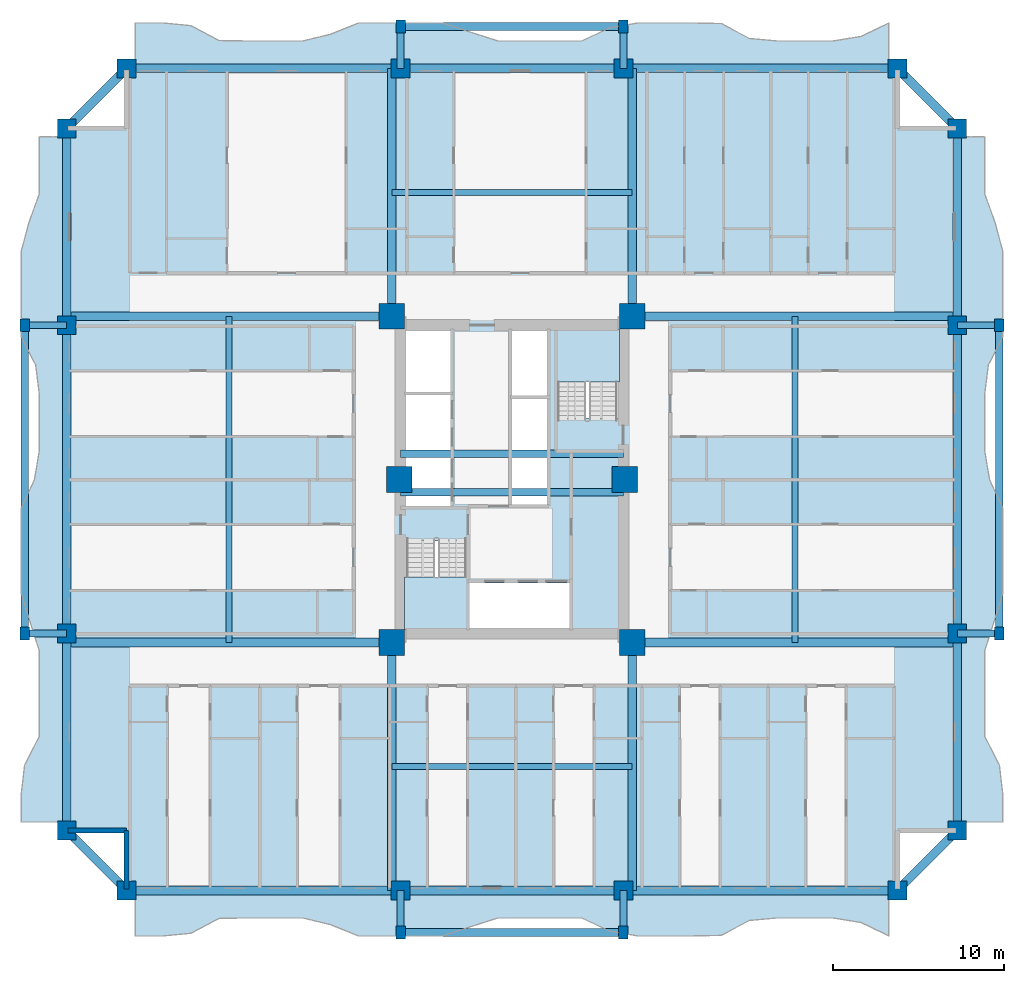
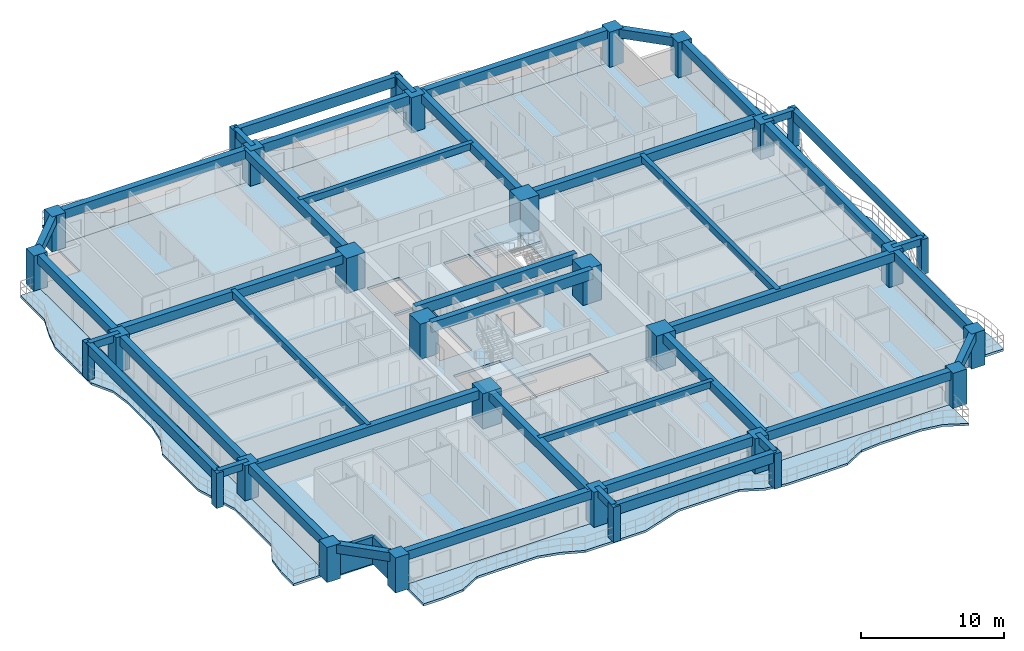
# One storey, part 1 of 17: 42 beams, 30 columns, 7 slabs, 2 walls, 2 elements without a shape of their own.
"""IFC4 building model written with IfcOpenShell, lengths in metres."""

from ifc_helpers import new_model, si_unit, direction, frame, frame_2d, origin, origin_2d, place, context, subcontext, project, spatial, polyline, rectangle, outline, extrude, source, transform, mapped, material, layer, layer_set, material_profile, profile_set, type_object, element, aggregate, save


model = new_model("IFC4")

# Units and contexts
model_context = context("Model", 3, precision=1e-05, world=origin(), true_north=direction((0.0, 1.0)))
body_context = subcontext(model_context, "Body", "Model", "MODEL_VIEW")
ifc_project = project(units=[si_unit("LENGTHUNIT", "METRE"), si_unit("AREAUNIT", "SQUARE_METRE"), si_unit("VOLUMEUNIT", "CUBIC_METRE"), si_unit("PLANEANGLEUNIT", "RADIAN"), si_unit("MASSUNIT", "GRAM", prefix="KILO")], contexts=[model_context])

# Site, building, storey
site_placement = place(None, origin())
site = spatial("IfcSite", under=ifc_project, at=site_placement, CompositionType="ELEMENT")
building_placement = place(site_placement, origin())
building = spatial("IfcBuilding", under=site, at=building_placement, Name="Saelheon Loggia Tower", CompositionType="ELEMENT")
storey_placement = place(building_placement, frame((0.0, 0.0, 22.39990234375)))
storey = spatial("IfcBuildingStorey", under=building, at=storey_placement, Name="L06", CompositionType="ELEMENT", Elevation=22.39990234375)

# Columns
ifc_material_1 = material(Name="Concrete C60/75", Category="concrete")
ifc_material_profile_1 = material_profile(ifc_material_1, rectangle(XDim=1.5, YDim=1.5, at=origin_2d()), Name="RC-1500x1500")
ifc_profile_set_1 = profile_set([ifc_material_profile_1], Name="Concrete C60/75")
column_type_1 = type_object("IfcColumnType", Name="Col_Core_RC1500", PredefinedType="COLUMN", material=ifc_profile_set_1)
shared_shape_1 = source(origin(), body_context, "Body", "SweptSolid", [
    extrude(rectangle(XDim=1.5, YDim=1.5, at=origin_2d()), origin(), (0.0, 0.0, 1.0), 3.0),
])
for number, where, z_axis, x_axis, name in (
    (1, (30.97998046875, 17.47998046875, 0.0), (0.0, 0.0, 1.0), (1.0, 0.0, 0.0), "L06 Core Column CR-SW"),
    (2, (45.02001953125, 17.47998046875, 0.0), (0.0, 0.0, 1.0), (1.0, 0.0, 0.0), "L06 Core Column CR-SE"),
    (3, (30.97998046875, 36.52001953125, 0.0), (0.0, 0.0, 1.0), (1.0, 0.0, 0.0), "L06 Core Column CR-NW"),
    (4, (45.02001953125, 36.52001953125, 0.0), (0.0, 0.0, 1.0), (1.0, 0.0, 0.0), "L06 Core Column CR-NE"),
    (5, (31.419921875, 27.0, 0.0), (0.0, 0.0, 1.0), (1.0, 0.0, 0.0), "L06 Core Column CR-MW"),
    (6, (44.580078125, 27.0, 0.0), (0.0, 0.0, 1.0), (1.0, 0.0, 0.0), "L06 Core Column CR-ME"),
):
    element("IfcColumn", number, at=place(storey_placement, frame(where, z_axis=z_axis, x_axis=x_axis)), inside=storey, type_object=column_type_1, Name=name, PredefinedType="COLUMN", context=body_context, shape_type="MappedRepresentation", body=[
        mapped(shared_shape_1, transform((0.0, 0.0, 0.0), scale=1.0)),
    ])
ifc_material_2 = material(Name="Concrete C50/60", Category="concrete")
ifc_material_profile_2 = material_profile(ifc_material_2, rectangle(XDim=1.10009765625, YDim=1.10009765625, at=origin_2d()), Name="RC-1100x1100")
ifc_profile_set_2 = profile_set([ifc_material_profile_2], Name="Concrete C50/60")
column_type_2 = type_object("IfcColumnType", Name="Col_PerimExt_RC1100", PredefinedType="COLUMN", material=ifc_profile_set_2)
shared_shape_2 = source(origin(), body_context, "Body", "SweptSolid", [
    extrude(rectangle(XDim=1.10009765625, YDim=1.10009765625, at=origin_2d()), origin(), (0.0, 0.0, 1.0), 3.0),
])
for number, where, z_axis, x_axis, name in (
    (7, (15.5, 3.0, 0.0), (0.0, 0.0, 1.0), (1.0, 0.0, 0.0), "L06 Perimeter Column TP-S1"),
    (8, (31.5, 3.0, 0.0), (0.0, 0.0, 1.0), (1.0, 0.0, 0.0), "L06 Perimeter Column TP-SA"),
    (9, (44.5, 3.0, 0.0), (0.0, 0.0, 1.0), (1.0, 0.0, 0.0), "L06 Perimeter Column TP-SB"),
    (10, (60.5, 3.0, 0.0), (0.0, 0.0, 1.0), (1.0, 0.0, 0.0), "L06 Perimeter Column TP-S2"),
    (11, (64.0, 6.5, 0.0), (0.0, 0.0, 1.0), (1.0, 0.0, 0.0), "L06 Perimeter Column TP-E1"),
    (12, (64.0, 18.0, 0.0), (0.0, 0.0, 1.0), (1.0, 0.0, 0.0), "L06 Perimeter Column TP-EA"),
    (13, (64.0, 36.0, 0.0), (0.0, 0.0, 1.0), (1.0, 0.0, 0.0), "L06 Perimeter Column TP-EB"),
    (14, (64.0, 47.5, 0.0), (0.0, 0.0, 1.0), (1.0, 0.0, 0.0), "L06 Perimeter Column TP-E2"),
    (15, (60.5, 51.0, 0.0), (0.0, 0.0, 1.0), (1.0, 0.0, 0.0), "L06 Perimeter Column TP-N2"),
    (16, (44.5, 51.0, 0.0), (0.0, 0.0, 1.0), (1.0, 0.0, 0.0), "L06 Perimeter Column TP-NB"),
    (17, (31.5, 51.0, 0.0), (0.0, 0.0, 1.0), (1.0, 0.0, 0.0), "L06 Perimeter Column TP-NA"),
    (18, (15.5, 51.0, 0.0), (0.0, 0.0, 1.0), (1.0, 0.0, 0.0), "L06 Perimeter Column TP-N1"),
    (19, (12.0, 47.5, 0.0), (0.0, 0.0, 1.0), (1.0, 0.0, 0.0), "L06 Perimeter Column TP-W2"),
    (20, (12.0, 36.0, 0.0), (0.0, 0.0, 1.0), (1.0, 0.0, 0.0), "L06 Perimeter Column TP-WB"),
    (21, (12.0, 18.0, 0.0), (0.0, 0.0, 1.0), (1.0, 0.0, 0.0), "L06 Perimeter Column TP-WA"),
    (22, (12.0, 6.5, 0.0), (0.0, 0.0, 1.0), (1.0, 0.0, 0.0), "L06 Perimeter Column TP-W1"),
):
    element("IfcColumn", number, at=place(storey_placement, frame(where, z_axis=z_axis, x_axis=x_axis)), inside=storey, type_object=column_type_2, Name=name, PredefinedType="COLUMN", context=body_context, shape_type="MappedRepresentation", body=[
        mapped(shared_shape_2, transform((0.0, 0.0, 0.0), scale=1.0)),
    ])
ifc_material_3 = material(Name="Precast Concrete C45/55", Category="concrete")
ifc_material_profile_3 = material_profile(ifc_material_3, rectangle(XDim=0.550048828125, YDim=0.75, at=origin_2d()), Name="RC-550x750")
ifc_profile_set_3 = profile_set([ifc_material_profile_3], Name="Precast Concrete C45/55")
column_type_3 = type_object("IfcColumnType", Name="Col_Loggia_Pilaster_750", PredefinedType="PILASTER", material=ifc_profile_set_3)
shared_shape_3 = source(origin(), body_context, "Body", "SweptSolid", [
    extrude(rectangle(XDim=0.550048828125, YDim=0.75, at=origin_2d()), origin(), (0.0, 0.0, 1.0), 3.0),
])
for number, where, z_axis, x_axis, name in (
    (23, (31.5, 0.550048828125, 0.0), (0.0, 0.0, 1.0), (1.0, 0.0, 0.0), "L06 Loggia Frame Pilaster LP-S1"),
    (24, (44.5, 0.550048828125, 0.0), (0.0, 0.0, 1.0), (1.0, 0.0, 0.0), "L06 Loggia Frame Pilaster LP-S2"),
    (25, (31.5, 53.449951171875, 0.0), (0.0, 0.0, 1.0), (1.0, 0.0, 0.0), "L06 Loggia Frame Pilaster LP-N1"),
    (26, (44.5, 53.449951171875, 0.0), (0.0, 0.0, 1.0), (1.0, 0.0, 0.0), "L06 Loggia Frame Pilaster LP-N2"),
    (27, (66.449951171875, 18.0, 0.0), (0.0, 0.0, 1.0), (1.0, 0.0, 0.0), "L06 Loggia Frame Pilaster LP-E1"),
    (28, (66.449951171875, 36.0, 0.0), (0.0, 0.0, 1.0), (1.0, 0.0, 0.0), "L06 Loggia Frame Pilaster LP-E2"),
    (29, (9.550048828125, 18.0, 0.0), (0.0, 0.0, 1.0), (1.0, 0.0, 0.0), "L06 Loggia Frame Pilaster LP-W1"),
    (30, (9.550048828125, 36.0, 0.0), (0.0, 0.0, 1.0), (1.0, 0.0, 0.0), "L06 Loggia Frame Pilaster LP-W2"),
):
    element("IfcColumn", number, at=place(storey_placement, frame(where, z_axis=z_axis, x_axis=x_axis)), inside=storey, type_object=column_type_3, Name=name, PredefinedType="PILASTER", context=body_context, shape_type="MappedRepresentation", body=[
        mapped(shared_shape_3, transform((0.0, 0.0, 0.0), scale=1.0)),
    ])

# Beams
ifc_material_profile_4 = material_profile(ifc_material_2, rectangle(XDim=0.449951171875, YDim=0.85009765625, at=origin_2d()), Name="RC-450x850")
ifc_profile_set_4 = profile_set([ifc_material_profile_4], Name="Concrete C50/60")
beam_type_1 = type_object("IfcBeamType", Name="Beam_CoreLintel_RC450x850", PredefinedType="LINTEL", material=ifc_profile_set_4)
shared_shape_4 = source(origin(), body_context, "Body", "SweptSolid", [
    extrude(rectangle(XDim=0.449951171875, YDim=0.85009765625, at=origin_2d()), origin(), (0.0, 0.0, 1.0), 13.0),
])
for number, where, z_axis, x_axis, name in (
    (31, (31.5, 26.25, 2.5751953125), (1.0, 0.0, 0.0), (0.0, 1.0, 0.0), "L06 Core Coupling Lintel 1"),
    (32, (31.5, 28.5, 2.5751953125), (1.0, 0.0, 0.0), (0.0, 1.0, 0.0), "L06 Core Coupling Lintel 2"),
):
    element("IfcBeam", number, at=place(storey_placement, frame(where, z_axis=z_axis, x_axis=x_axis)), inside=storey, type_object=beam_type_1, Name=name, PredefinedType="LINTEL", context=body_context, shape_type="MappedRepresentation", body=[
        mapped(shared_shape_4, transform((0.0, 0.0, 0.0), scale=1.0)),
    ])
ifc_material_profile_5 = material_profile(ifc_material_3, rectangle(XDim=0.449951171875, YDim=0.85009765625, at=origin_2d()), Name="RC-450x850")
ifc_profile_set_5 = profile_set([ifc_material_profile_5], Name="Precast Concrete C45/55")
beam_type_2 = type_object("IfcBeamType", Name="Beam_LoggiaSpandrel_RC450x850", PredefinedType="SPANDREL", material=ifc_profile_set_5)
for number, where, z_axis, x_axis, name in (
    (33, (31.5, 0.550048828125, 2.5751953125), (1.0, 0.0, 0.0), (0.0, 1.0, 0.0), "L06 Loggia Spandrel Beam S"),
    (34, (31.5, 53.449951171875, 2.5751953125), (1.0, 0.0, 0.0), (0.0, 1.0, 0.0), "L06 Loggia Spandrel Beam N"),
):
    element("IfcBeam", number, at=place(storey_placement, frame(where, z_axis=z_axis, x_axis=x_axis)), inside=storey, type_object=beam_type_2, Name=name, PredefinedType="SPANDREL", context=body_context, shape_type="MappedRepresentation", body=[
        mapped(shared_shape_4, transform((0.0, 0.0, 0.0), scale=1.0)),
    ])
ifc_material_4 = material(Name="Concrete C45/55", Category="concrete")
ifc_material_profile_6 = material_profile(ifc_material_4, rectangle(XDim=0.5, YDim=0.75, at=origin_2d()), Name="RC-500x750")
ifc_profile_set_6 = profile_set([ifc_material_profile_6], Name="Concrete C45/55")
beam_type_3 = type_object("IfcBeamType", Name="Beam_FloorGirder_RC500x750", PredefinedType="BEAM", material=ifc_profile_set_6)
shared_shape_5 = source(origin(), body_context, "Body", "SweptSolid", [
    extrude(rectangle(XDim=0.5, YDim=0.75, at=origin_2d()), origin(), (0.0, 0.0, 1.0), 14.47998046875),
])
for number, where, z_axis, x_axis, name in (
    (35, (30.97998046875, 17.47998046875, 2.625), (0.0, -1.0, 0.0), (1.0, 0.0, 0.0), "L06 Radial Floor Girder RAD-SW-S"),
    (36, (45.02001953125, 17.47998046875, 2.625), (0.0, -1.0, 0.0), (1.0, 0.0, 0.0), "L06 Radial Floor Girder RAD-SE-S"),
    (37, (30.97998046875, 36.52001953125, 2.625), (0.0, 1.0, 0.0), (-1.0, 0.0, 0.0), "L06 Radial Floor Girder RAD-NW-N"),
    (38, (45.02001953125, 36.52001953125, 2.625), (0.0, 1.0, 0.0), (-1.0, 0.0, 0.0), "L06 Radial Floor Girder RAD-NE-N"),
):
    element("IfcBeam", number, at=place(storey_placement, frame(where, z_axis=z_axis, x_axis=x_axis)), inside=storey, type_object=beam_type_3, Name=name, PredefinedType="BEAM", context=body_context, shape_type="MappedRepresentation", body=[
        mapped(shared_shape_5, transform((0.0, 0.0, 0.0), scale=1.0)),
    ])
ifc_material_profile_7 = material_profile(ifc_material_4, rectangle(XDim=0.5, YDim=0.75, at=origin_2d()), Name="RC-500x750")
ifc_profile_set_7 = profile_set([ifc_material_profile_7], Name="Concrete C45/55")
beam_type_4 = type_object("IfcBeamType", Name="Beam_PerimGirder_RC500x750", PredefinedType="BEAM", material=ifc_profile_set_7)
shared_shape_6 = source(origin(), body_context, "Body", "SweptSolid", [
    extrude(rectangle(XDim=0.5, YDim=0.75, at=origin_2d()), origin(), (0.0, 0.0, 1.0), 16.0),
])
for number, where, z_axis, x_axis, name in (
    (39, (15.5, 3.0, 2.625), (1.0, 0.0, 0.0), (0.0, 1.0, 0.0), "L06 Perimeter Frame Girder 01"),
    (40, (44.5, 3.0, 2.625), (1.0, 0.0, 0.0), (0.0, 1.0, 0.0), "L06 Perimeter Frame Girder 03"),
    (41, (60.5, 51.0, 2.625), (-1.0, 0.0, 0.0), (0.0, -1.0, 0.0), "L06 Perimeter Frame Girder 09"),
    (42, (31.5, 51.0, 2.625), (-1.0, 0.0, 0.0), (0.0, -1.0, 0.0), "L06 Perimeter Frame Girder 11"),
):
    element("IfcBeam", number, at=place(storey_placement, frame(where, z_axis=z_axis, x_axis=x_axis)), inside=storey, type_object=beam_type_4, Name=name, PredefinedType="BEAM", context=body_context, shape_type="MappedRepresentation", body=[
        mapped(shared_shape_6, transform((0.0, 0.0, 0.0), scale=1.0)),
    ])
shared_shape_7 = source(origin(), body_context, "Body", "SweptSolid", [
    extrude(rectangle(XDim=0.5, YDim=0.75, at=origin_2d()), origin(), (0.0, 0.0, 1.0), 13.0),
])
for number, where, z_axis, x_axis, name in (
    (43, (31.5, 3.0, 2.625), (1.0, 0.0, 0.0), (0.0, 1.0, 0.0), "L06 Perimeter Frame Girder 02"),
    (44, (44.5, 51.0, 2.625), (-1.0, 0.0, 0.0), (0.0, -1.0, 0.0), "L06 Perimeter Frame Girder 10"),
):
    element("IfcBeam", number, at=place(storey_placement, frame(where, z_axis=z_axis, x_axis=x_axis)), inside=storey, type_object=beam_type_4, Name=name, PredefinedType="BEAM", context=body_context, shape_type="MappedRepresentation", body=[
        mapped(shared_shape_7, transform((0.0, 0.0, 0.0), scale=1.0)),
    ])
shared_shape_8 = source(origin(), body_context, "Body", "SweptSolid", [
    extrude(rectangle(XDim=0.5, YDim=0.75, at=origin_2d()), origin(), (0.0, 0.0, 1.0), 4.94970703125),
])
for number, where, z_axis, x_axis, name in (
    (45, (60.5, 3.0, 2.625), (0.707106781187, 0.707106781187, 0.0), (-0.707106781187, 0.707106781187, 0.0), "L06 Perimeter Frame Girder 04"),
    (46, (64.0, 47.5, 2.625), (-0.707106781187, 0.707106781187, 0.0), (-0.707106781187, -0.707106781187, 0.0), "L06 Perimeter Frame Girder 08"),
    (47, (15.5, 51.0, 2.625), (-0.707106781187, -0.707106781187, 0.0), (0.707106781187, -0.707106781187, 0.0), "L06 Perimeter Frame Girder 12"),
    (48, (12.0, 6.5, 2.625), (0.707106781187, -0.707106781187, 0.0), (0.707106781187, 0.707106781187, 0.0), "L06 Perimeter Frame Girder 16"),
):
    element("IfcBeam", number, at=place(storey_placement, frame(where, z_axis=z_axis, x_axis=x_axis)), inside=storey, type_object=beam_type_4, Name=name, PredefinedType="BEAM", context=body_context, shape_type="MappedRepresentation", body=[
        mapped(shared_shape_8, transform((0.0, 0.0, 0.0), scale=1.0)),
    ])
shared_shape_9 = source(origin(), body_context, "Body", "SweptSolid", [
    extrude(rectangle(XDim=0.5, YDim=0.75, at=origin_2d()), origin(), (0.0, 0.0, 1.0), 11.5),
])
for number, where, z_axis, x_axis, name in (
    (49, (64.0, 6.5, 2.625), (0.0, 1.0, 0.0), (-1.0, 0.0, 0.0), "L06 Perimeter Frame Girder 05"),
    (50, (64.0, 36.0, 2.625), (0.0, 1.0, 0.0), (-1.0, 0.0, 0.0), "L06 Perimeter Frame Girder 07"),
    (51, (12.0, 47.5, 2.625), (0.0, -1.0, 0.0), (1.0, 0.0, 0.0), "L06 Perimeter Frame Girder 13"),
    (52, (12.0, 18.0, 2.625), (0.0, -1.0, 0.0), (1.0, 0.0, 0.0), "L06 Perimeter Frame Girder 15"),
):
    element("IfcBeam", number, at=place(storey_placement, frame(where, z_axis=z_axis, x_axis=x_axis)), inside=storey, type_object=beam_type_4, Name=name, PredefinedType="BEAM", context=body_context, shape_type="MappedRepresentation", body=[
        mapped(shared_shape_9, transform((0.0, 0.0, 0.0), scale=1.0)),
    ])
shared_shape_10 = source(origin(), body_context, "Body", "SweptSolid", [
    extrude(rectangle(XDim=0.5, YDim=0.75, at=origin_2d()), origin(), (0.0, 0.0, 1.0), 18.0),
])
for number, where, z_axis, x_axis, name in (
    (53, (64.0, 18.0, 2.625), (0.0, 1.0, 0.0), (-1.0, 0.0, 0.0), "L06 Perimeter Frame Girder 06"),
    (54, (12.0, 36.0, 2.625), (0.0, -1.0, 0.0), (1.0, 0.0, 0.0), "L06 Perimeter Frame Girder 14"),
):
    element("IfcBeam", number, at=place(storey_placement, frame(where, z_axis=z_axis, x_axis=x_axis)), inside=storey, type_object=beam_type_4, Name=name, PredefinedType="BEAM", context=body_context, shape_type="MappedRepresentation", body=[
        mapped(shared_shape_10, transform((0.0, 0.0, 0.0), scale=1.0)),
    ])
shared_shape_11 = source(origin(), body_context, "Body", "SweptSolid", [
    extrude(rectangle(XDim=0.5, YDim=0.75, at=origin_2d()), origin(), (0.0, 0.0, 1.0), 18.97998046875),
])
for number, where, z_axis, x_axis, name in (
    (55, (30.97998046875, 17.47998046875, 2.625), (-1.0, 0.0, 0.0), (0.0, -1.0, 0.0), "L06 Radial Floor Girder RAD-SW-W"),
    (56, (30.97998046875, 36.52001953125, 2.625), (-1.0, 0.0, 0.0), (0.0, -1.0, 0.0), "L06 Radial Floor Girder RAD-NW-W"),
    (57, (45.02001953125, 17.47998046875, 2.625), (1.0, 0.0, 0.0), (0.0, 1.0, 0.0), "L06 Radial Floor Girder RAD-SE-E"),
    (58, (45.02001953125, 36.52001953125, 2.625), (1.0, 0.0, 0.0), (0.0, 1.0, 0.0), "L06 Radial Floor Girder RAD-NE-E"),
):
    element("IfcBeam", number, at=place(storey_placement, frame(where, z_axis=z_axis, x_axis=x_axis)), inside=storey, type_object=beam_type_3, Name=name, PredefinedType="BEAM", context=body_context, shape_type="MappedRepresentation", body=[
        mapped(shared_shape_11, transform((0.0, 0.0, 0.0), scale=1.0)),
    ])
ifc_material_5 = material(Name="Concrete C40/50", Category="concrete")
ifc_material_profile_8 = material_profile(ifc_material_5, rectangle(XDim=0.35009765625, YDim=0.550048828125, at=origin_2d()), Name="RC-350x550")
ifc_profile_set_8 = profile_set([ifc_material_profile_8], Name="Concrete C40/50")
beam_type_5 = type_object("IfcBeamType", Name="Beam_Joist_RC350x550", PredefinedType="JOIST", material=ifc_profile_set_8)
shared_shape_12 = source(origin(), body_context, "Body", "SweptSolid", [
    extrude(rectangle(XDim=0.35009765625, YDim=0.550048828125, at=origin_2d()), origin(), (0.0, 0.0, 1.0), 14.0400390625),
])
for number, where, z_axis, x_axis, name in (
    (59, (30.97998046875, 10.239990234375, 2.72509765625), (1.0, 0.0, 0.0), (0.0, 1.0, 0.0), "L06 South Floor Joist"),
    (60, (30.97998046875, 43.760009765625, 2.72509765625), (1.0, 0.0, 0.0), (0.0, 1.0, 0.0), "L06 North Floor Joist"),
):
    element("IfcBeam", number, at=place(storey_placement, frame(where, z_axis=z_axis, x_axis=x_axis)), inside=storey, type_object=beam_type_5, Name=name, PredefinedType="JOIST", context=body_context, shape_type="MappedRepresentation", body=[
        mapped(shared_shape_12, transform((0.0, 0.0, 0.0), scale=1.0)),
    ])
shared_shape_13 = source(origin(), body_context, "Body", "SweptSolid", [
    extrude(rectangle(XDim=0.35009765625, YDim=0.550048828125, at=origin_2d()), origin(), (0.0, 0.0, 1.0), 19.0400390625),
])
for number, where, z_axis, x_axis, name in (
    (61, (21.489990234375, 17.47998046875, 2.72509765625), (0.0, 1.0, 0.0), (-1.0, 0.0, 0.0), "L06 West Floor Joist"),
    (62, (54.510009765625, 17.47998046875, 2.72509765625), (0.0, 1.0, 0.0), (-1.0, 0.0, 0.0), "L06 East Floor Joist"),
):
    element("IfcBeam", number, at=place(storey_placement, frame(where, z_axis=z_axis, x_axis=x_axis)), inside=storey, type_object=beam_type_5, Name=name, PredefinedType="JOIST", context=body_context, shape_type="MappedRepresentation", body=[
        mapped(shared_shape_13, transform((0.0, 0.0, 0.0), scale=1.0)),
    ])
ifc_material_profile_9 = material_profile(ifc_material_3, rectangle(XDim=0.39990234375, YDim=0.60009765625, at=origin_2d()), Name="RC-400x600")
ifc_profile_set_9 = profile_set([ifc_material_profile_9], Name="Precast Concrete C45/55")
beam_type_6 = type_object("IfcBeamType", Name="Beam_LoggiaTie_RC400x600", PredefinedType="BEAM", material=ifc_profile_set_9)
shared_shape_14 = source(origin(), body_context, "Body", "SweptSolid", [
    extrude(rectangle(XDim=0.39990234375, YDim=0.60009765625, at=origin_2d()), origin(), (0.0, 0.0, 1.0), 2.449951171875),
])
for number, where, z_axis, x_axis, name in (
    (63, (31.5, 3.0, 2.7001953125), (0.0, -1.0, 0.0), (1.0, 0.0, 0.0), "L06 Loggia Frame Tie Beam LP-S1"),
    (64, (44.5, 3.0, 2.7001953125), (0.0, -1.0, 0.0), (1.0, 0.0, 0.0), "L06 Loggia Frame Tie Beam LP-S2"),
    (65, (31.5, 51.0, 2.7001953125), (0.0, 1.0, 0.0), (-1.0, 0.0, 0.0), "L06 Loggia Frame Tie Beam LP-N1"),
    (66, (44.5, 51.0, 2.7001953125), (0.0, 1.0, 0.0), (-1.0, 0.0, 0.0), "L06 Loggia Frame Tie Beam LP-N2"),
    (67, (64.0, 18.0, 2.7001953125), (1.0, 0.0, 0.0), (0.0, 1.0, 0.0), "L06 Loggia Frame Tie Beam LP-E1"),
    (68, (64.0, 36.0, 2.7001953125), (1.0, 0.0, 0.0), (0.0, 1.0, 0.0), "L06 Loggia Frame Tie Beam LP-E2"),
    (69, (12.0, 18.0, 2.7001953125), (-1.0, 0.0, 0.0), (0.0, -1.0, 0.0), "L06 Loggia Frame Tie Beam LP-W1"),
    (70, (12.0, 36.0, 2.7001953125), (-1.0, 0.0, 0.0), (0.0, -1.0, 0.0), "L06 Loggia Frame Tie Beam LP-W2"),
):
    element("IfcBeam", number, at=place(storey_placement, frame(where, z_axis=z_axis, x_axis=x_axis)), inside=storey, type_object=beam_type_6, Name=name, PredefinedType="BEAM", context=body_context, shape_type="MappedRepresentation", body=[
        mapped(shared_shape_14, transform((0.0, 0.0, 0.0), scale=1.0)),
    ])
shared_shape_15 = source(origin(), body_context, "Body", "SweptSolid", [
    extrude(rectangle(XDim=0.449951171875, YDim=0.85009765625, at=origin_2d()), origin(), (0.0, 0.0, 1.0), 18.0),
])
for number, where, z_axis, x_axis, name in (
    (71, (66.449951171875, 18.0, 2.5751953125), (0.0, 1.0, 0.0), (-1.0, 0.0, 0.0), "L06 Loggia Spandrel Beam E"),
    (72, (9.550048828125, 18.0, 2.5751953125), (0.0, 1.0, 0.0), (-1.0, 0.0, 0.0), "L06 Loggia Spandrel Beam W"),
):
    element("IfcBeam", number, at=place(storey_placement, frame(where, z_axis=z_axis, x_axis=x_axis)), inside=storey, type_object=beam_type_2, Name=name, PredefinedType="SPANDREL", context=body_context, shape_type="MappedRepresentation", body=[
        mapped(shared_shape_15, transform((0.0, 0.0, 0.0), scale=1.0)),
    ])

# Slabs
ifc_layer_1 = layer(ifc_material_3, 0.18994140625)
ifc_layer_set_1 = layer_set([ifc_layer_1], Name="Precast Concrete C45/55")
slab_type_1 = type_object("IfcSlabType", Name="Slab_Loggia_Ext_190", PredefinedType="FLOOR", material=ifc_layer_set_1)
slab_1_placement = place(storey_placement, frame((0.0, 0.0, -0.18994140625)))
element("IfcSlab", 73, at=slab_1_placement, inside=storey, type_object=slab_type_1, Name="L06 Loggia Balcony Slab S", PredefinedType="FLOOR", context=body_context, shape_type="SweptSolid", body=[
    extrude(outline(polyline([(16.0, 0.35009765625), (17.629638671875, 0.35009765625), (19.25927734375, 0.505615234375), (20.888916015625, 1.37353515625), (22.5185546875, 1.39990234375), (24.148193359375, 1.39990234375), (25.77783203125, 1.39990234375), (27.407470703125, 1.0087890625), (29.037109375, 0.35009765625), (30.666748046875, 0.35009765625), (32.29638671875, 0.35009765625), (33.92578125, 0.35009765625), (35.5556640625, 0.880126953125), (37.185302734375, 1.39990234375), (38.814697265625, 1.39990234375), (40.4443359375, 1.39990234375), (42.07421875, 1.39990234375), (43.70361328125, 0.631591796875), (45.333251953125, 0.35009765625), (46.962890625, 0.35009765625), (48.592529296875, 0.35009765625), (50.22216796875, 0.382568359375), (51.851806640625, 1.252685546875), (53.4814453125, 1.39990234375), (55.111083984375, 1.39990234375), (56.74072265625, 1.39990234375), (58.370361328125, 1.1357421875), (60.0, 0.35009765625), (60.0, 3.0), (16.0, 3.0), (16.0, 0.35009765625)])), origin(), (0.0, 0.0, 1.0), 0.18994140625),
])
slab_2_placement = place(storey_placement, frame((0.0, 0.0, -0.18994140625)))
element("IfcSlab", 74, at=slab_2_placement, inside=storey, type_object=slab_type_1, Name="L06 Loggia Balcony Slab N", PredefinedType="FLOOR", context=body_context, shape_type="SweptSolid", body=[
    extrude(outline(polyline([(16.0, 51.0), (60.0, 51.0), (60.0, 53.64990234375), (58.370361328125, 52.8642578125), (56.74072265625, 52.60009765625), (55.111083984375, 52.60009765625), (53.4814453125, 52.60009765625), (51.851806640625, 52.747314453125), (50.22216796875, 53.617431640625), (48.592529296875, 53.64990234375), (46.962890625, 53.64990234375), (45.333251953125, 53.64990234375), (43.70361328125, 53.368408203125), (42.07421875, 52.60009765625), (40.4443359375, 52.60009765625), (38.814697265625, 52.60009765625), (37.185302734375, 52.60009765625), (35.5556640625, 53.119873046875), (33.92578125, 53.64990234375), (32.29638671875, 53.64990234375), (30.666748046875, 53.64990234375), (29.037109375, 53.64990234375), (27.407470703125, 52.9912109375), (25.77783203125, 52.60009765625), (24.148193359375, 52.60009765625), (22.5185546875, 52.60009765625), (20.888916015625, 52.62646484375), (19.25927734375, 53.494384765625), (17.629638671875, 53.64990234375), (16.0, 53.64990234375), (16.0, 51.0)])), origin(), (0.0, 0.0, 1.0), 0.18994140625),
])
slab_3_placement = place(storey_placement, frame((0.0, 0.0, -0.18994140625)))
element("IfcSlab", 75, at=slab_3_placement, inside=storey, type_object=slab_type_1, Name="L06 Loggia Balcony Slab E", PredefinedType="FLOOR", context=body_context, shape_type="SweptSolid", body=[
    extrude(outline(polyline([(64.0, 7.0), (66.64990234375, 7.0), (66.64990234375, 8.666748046875), (66.455322265625, 10.333251953125), (65.60009765625, 12.0), (65.60009765625, 13.666748046875), (65.60009765625, 15.333251953125), (65.60009765625, 17.0), (66.1318359375, 18.666748046875), (66.64990234375, 20.333251953125), (66.64990234375, 22.0), (66.64990234375, 23.666748046875), (66.64990234375, 25.333251953125), (65.8798828125, 27.0), (65.60009765625, 28.666748046875), (65.60009765625, 30.333251953125), (65.60009765625, 32.0), (65.809326171875, 33.666748046875), (66.64990234375, 35.333251953125), (66.64990234375, 37.0), (66.64990234375, 38.666748046875), (66.64990234375, 40.333251953125), (66.204345703125, 42.0), (65.60009765625, 43.666748046875), (65.60009765625, 45.333251953125), (65.60009765625, 47.0), (64.0, 47.0), (64.0, 7.0)])), origin(), (0.0, 0.0, 1.0), 0.18994140625),
])
slab_4_placement = place(storey_placement, frame((0.0, 0.0, -0.18994140625)))
element("IfcSlab", 76, at=slab_4_placement, inside=storey, type_object=slab_type_1, Name="L06 Loggia Balcony Slab W", PredefinedType="FLOOR", context=body_context, shape_type="SweptSolid", body=[
    extrude(outline(polyline([(12.0, 7.0), (12.0, 47.0), (10.39990234375, 47.0), (10.39990234375, 45.333251953125), (10.39990234375, 43.666748046875), (9.795654296875, 42.0), (9.35009765625, 40.333251953125), (9.35009765625, 38.666748046875), (9.35009765625, 37.0), (9.35009765625, 35.333251953125), (10.190673828125, 33.666748046875), (10.39990234375, 32.0), (10.39990234375, 30.333251953125), (10.39990234375, 28.666748046875), (10.1201171875, 27.0), (9.35009765625, 25.333251953125), (9.35009765625, 23.666748046875), (9.35009765625, 22.0), (9.35009765625, 20.333251953125), (9.8681640625, 18.666748046875), (10.39990234375, 17.0), (10.39990234375, 15.333251953125), (10.39990234375, 13.666748046875), (10.39990234375, 12.0), (9.544677734375, 10.333251953125), (9.35009765625, 8.666748046875), (9.35009765625, 7.0), (12.0, 7.0)])), origin(), (0.0, 0.0, 1.0), 0.18994140625),
])

# Stair, slab
stair_type = type_object("IfcStairType", Name="Stair_Escape_Core", PredefinedType="HALF_TURN_STAIR", material=ifc_material_5)
stair_1_placement = place(storey_placement, origin())
stair_1 = element("IfcStair", 77, at=stair_1_placement, inside=storey, type_object=stair_type, Name="L06 Special Escape Stair ST1", PredefinedType="HALF_TURN_STAIR")
ifc_layer_2 = layer(ifc_material_5, 0.199951171875)
ifc_layer_set_2 = layer_set([ifc_layer_2], Name="Concrete C40/50")
slab_type_2 = type_object("IfcSlabType", Name="Slab_StairLanding_ST1", PredefinedType="LANDING", material=ifc_layer_set_2)
slab_5_placement = place(storey_placement, frame((0.0, 0.0, 1.300048828125)))
slab_5 = element("IfcSlab", 78, at=slab_5_placement, type_object=slab_type_2, Name="ST1 landing 1", PredefinedType="LANDING", context=body_context, shape_type="SweptSolid", body=[
    extrude(outline(polyline([(31.7099609375, 21.31005859375), (31.7099609375, 18.2099609375), (35.469970703125, 18.2099609375), (35.469970703125, 21.31005859375), (31.7099609375, 21.31005859375)])), origin(), (0.0, 0.0, 1.0), 0.199951171875),
])
aggregate(stair_1, [slab_5])

stair_2_placement = place(storey_placement, origin())
stair_2 = element("IfcStair", 79, at=stair_2_placement, inside=storey, type_object=stair_type, Name="L06 Special Escape Stair ST2", PredefinedType="HALF_TURN_STAIR")
ifc_layer_3 = layer(ifc_material_5, 0.199951171875)
ifc_layer_set_3 = layer_set([ifc_layer_3], Name="Concrete C40/50")
slab_type_3 = type_object("IfcSlabType", Name="Slab_StairLanding_ST2", PredefinedType="LANDING", material=ifc_layer_set_3)
slab_6_placement = place(storey_placement, frame((0.0, 0.0, 1.300048828125)))
slab_6 = element("IfcSlab", 80, at=slab_6_placement, type_object=slab_type_3, Name="ST2 landing 1", PredefinedType="LANDING", context=body_context, shape_type="SweptSolid", body=[
    extrude(outline(polyline([(44.2900390625, 32.68994140625), (44.2900390625, 35.7900390625), (40.530029296875, 35.7900390625), (40.530029296875, 32.68994140625), (44.2900390625, 32.68994140625)])), origin(), (0.0, 0.0, 1.0), 0.199951171875),
])
aggregate(stair_2, [slab_6])

# Slab
ifc_layer_4 = layer(ifc_material_5, 0.2099609375)
ifc_layer_set_4 = layer_set([ifc_layer_4], Name="Concrete C40/50")
slab_type_4 = type_object("IfcSlabType", Name="Slab_Tower_210", PredefinedType="FLOOR", material=ifc_layer_set_4)
slab_7_placement = place(storey_placement, frame((0.0, 0.0, -0.2099609375)))
element("IfcSlab", 81, at=slab_7_placement, inside=storey, type_object=slab_type_4, Name="L06 Tower Floor Slab", PredefinedType="FLOOR", context=body_context, shape_type="SweptSolid", body=[
    extrude(outline(polyline([(15.5, 3.0), (60.5, 3.0), (60.5, 6.5), (64.0, 6.5), (64.0, 47.5), (60.5, 47.5), (60.5, 51.0), (15.5, 51.0), (15.5, 47.5), (12.0, 47.5), (12.0, 6.5), (15.5, 6.5), (15.5, 3.0)]), holes=[polyline([(31.699951171875, 23.409912109375), (31.699951171875, 18.199951171875), (35.47998046875, 18.199951171875), (35.47998046875, 23.409912109375), (31.699951171875, 23.409912109375)]), polyline([(44.300048828125, 30.590087890625), (44.300048828125, 35.800048828125), (40.52001953125, 35.800048828125), (40.52001953125, 30.590087890625), (44.300048828125, 30.590087890625)]), polyline([(35.530029296875, 18.324951171875), (41.35009765625, 18.324951171875), (41.35009765625, 20.9599609375), (35.530029296875, 20.9599609375), (35.530029296875, 18.324951171875)]), polyline([(31.824951171875, 32.1201171875), (34.419921875, 32.1201171875), (34.419921875, 35.675048828125), (31.824951171875, 35.675048828125), (31.824951171875, 32.1201171875)]), polyline([(38.0, 31.89990234375), (40.050048828125, 31.89990234375), (40.050048828125, 35.675048828125), (38.0, 35.675048828125), (38.0, 31.89990234375)]), polyline([(31.824951171875, 25.449951171875), (34.419921875, 25.449951171875), (34.419921875, 31.919921875), (31.824951171875, 31.919921875), (31.824951171875, 25.449951171875)]), polyline([(38.0, 25.5400390625), (40.050048828125, 25.5400390625), (40.050048828125, 31.699951171875), (38.0, 31.699951171875), (38.0, 25.5400390625)])]), origin(), (0.0, 0.0, 1.0), 0.2099609375),
])

# Walls
ifc_material_6 = material(Name="Architectural Precast Concrete C40/50", Category="concrete")
ifc_layer_5 = layer(ifc_material_6, 0.280029296875)
ifc_layer_set_5 = layer_set([ifc_layer_5], Name="Architectural Precast Concrete C40/50")
wall_type = type_object("IfcWallType", Name="Wall_Ext_Loggia_280", PredefinedType="SOLIDWALL", material=ifc_layer_set_5)
for number, where, z_axis, x_axis, name in (
    (82, (15.5, 3.080078125, 0.0), (0.0, 0.0, 1.0), (0.0, 1.0, 0.0), "L06 Corner Notch Precast Wall SW1"),
    (83, (12.080078125, 6.5, 0.0), (0.0, 0.0, 1.0), (1.0, 0.0, 0.0), "L06 Corner Notch Precast Wall SW2"),
):
    element("IfcWall", number, at=place(storey_placement, frame(where, z_axis=z_axis, x_axis=x_axis)), inside=storey, type_object=wall_type, Name=name, PredefinedType="SOLIDWALL", context=body_context, shape_type="SweptSolid", body=[
        extrude(rectangle(XDim=3.419921875, YDim=0.280029296875, at=frame_2d((1.7099609375, 0.0))), origin(), (0.0, 0.0, 1.0), 2.280029296875),
    ])

save(model, "model.ifc")
